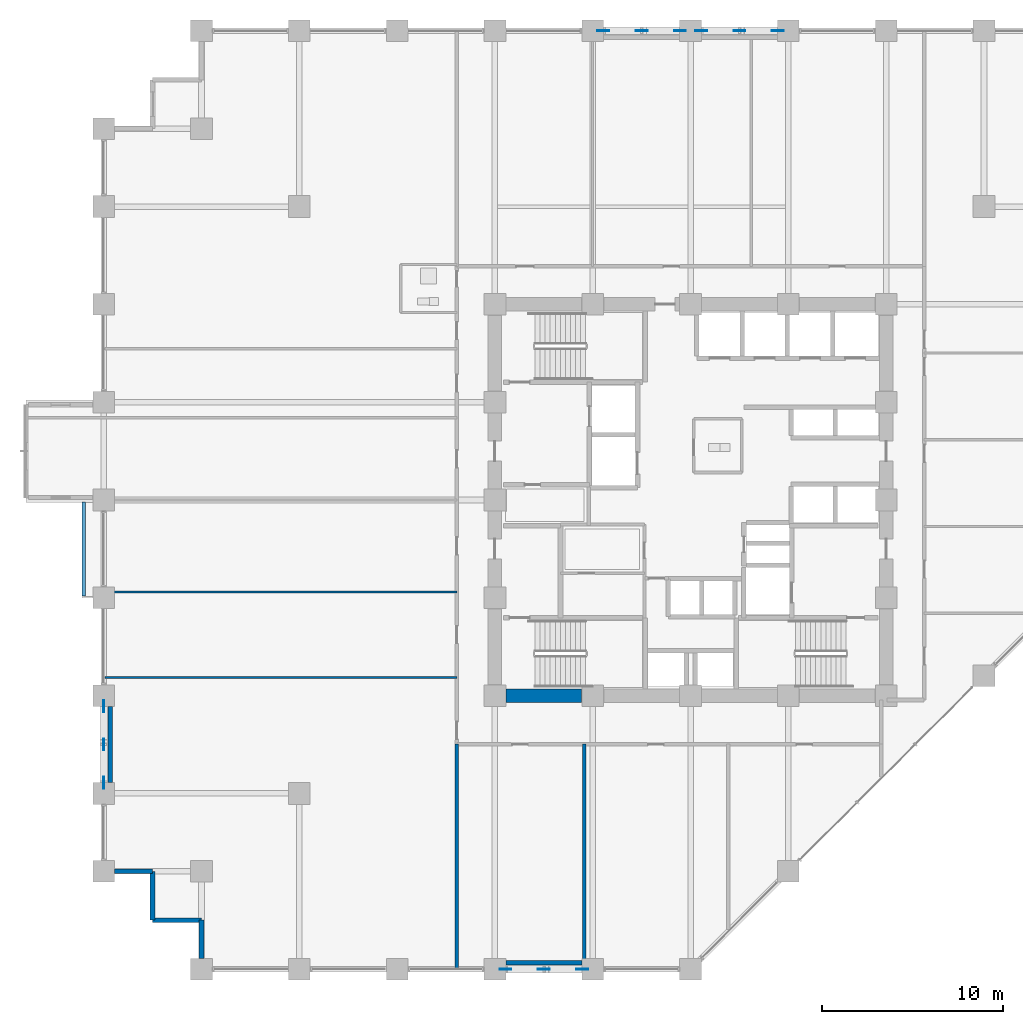
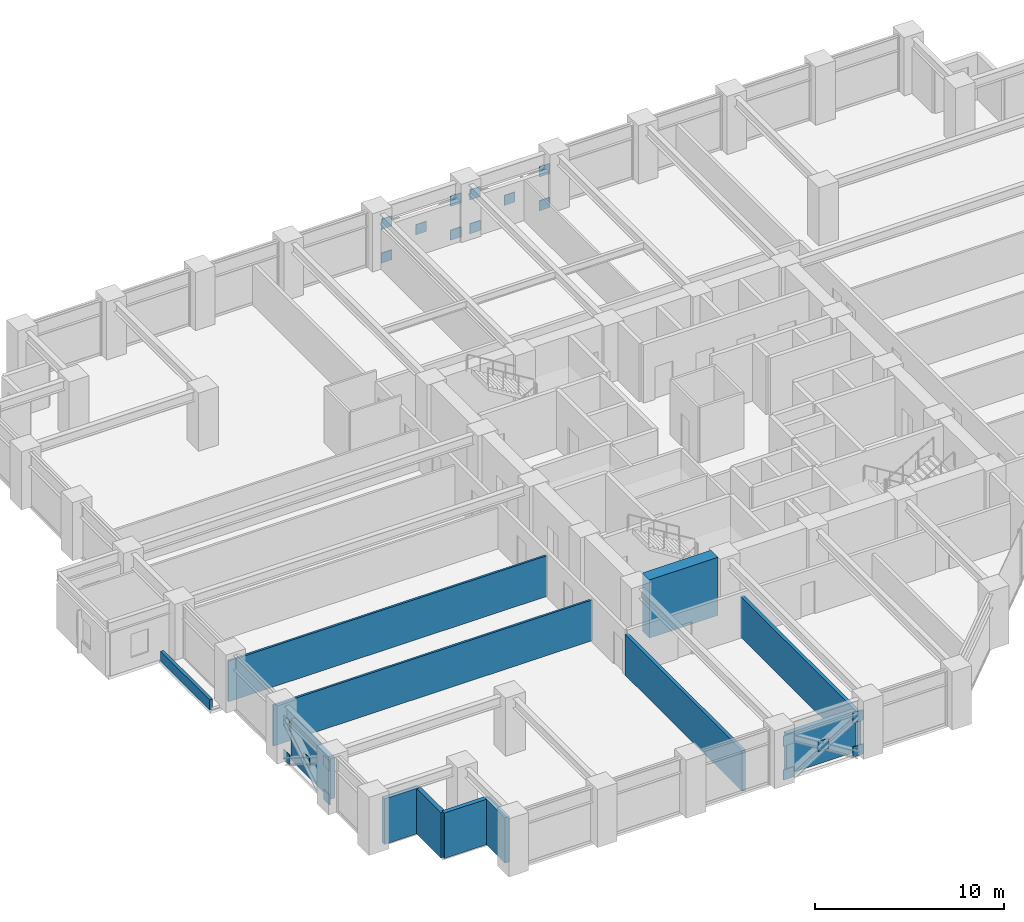
# One storey, part 20 of 28: 20 plates, 12 walls.
"""IFC4 building model written with IfcOpenShell, lengths in metres."""

from ifc_helpers import new_model, si_unit, direction, frame, frame_2d, origin, origin_2d, place, context, subcontext, project, spatial, rectangle, extrude, material, layer, layer_set, type_object, element, save


model = new_model("IFC4")

# Units and contexts
model_context = context("Model", 3, precision=1e-05, world=origin(), true_north=direction((0.0, 1.0)))
body_context = subcontext(model_context, "Body", "Model", "MODEL_VIEW")
ifc_project = project(units=[si_unit("LENGTHUNIT", "METRE"), si_unit("AREAUNIT", "SQUARE_METRE"), si_unit("VOLUMEUNIT", "CUBIC_METRE"), si_unit("PLANEANGLEUNIT", "RADIAN"), si_unit("MASSUNIT", "GRAM", prefix="KILO")], contexts=[model_context])

# Site, building, storey
site_placement = place(None, origin())
site = spatial("IfcSite", under=ifc_project, at=site_placement, CompositionType="ELEMENT")
building_placement = place(site_placement, origin())
building = spatial("IfcBuilding", under=site, at=building_placement, Name="Surkhivell Harbour Commons", CompositionType="ELEMENT")
storey_placement = place(building_placement, frame((0.0, 0.0, 63.75)))
storey = spatial("IfcBuildingStorey", under=building, at=storey_placement, Name="L16", CompositionType="ELEMENT", Elevation=63.75)

# Plates
ifc_material_1 = material(Name="Steel S460", Category="steel")
ifc_layer_1 = layer(ifc_material_1, 0.044921875)
ifc_layer_set_1 = layer_set([ifc_layer_1], Name="Steel S460")
plate_type = type_object("IfcPlateType", Name="PLT-GUS-650", PredefinedType="USERDEFINED", material=ifc_layer_set_1)
for number, where, z_axis, x_axis, name in (
    (1, (-4.81494140625, 25.89990234375, -0.08935546875), (0.0, 0.0, 1.0), (1.0, 0.0, 0.0), "L16 Perimeter Mega-Brace MB- Corner Gusset N-1"),
    (2, (-0.5849609375, 25.89990234375, -0.08935546875), (0.0, 0.0, 1.0), (1.0, 0.0, 0.0), "L16 Perimeter Mega-Brace MB- Corner Gusset N-2"),
    (3, (-4.81494140625, 25.89990234375, 2.094482421875), (0.0, 0.0, 1.0), (1.0, 0.0, 0.0), "L16 Perimeter Mega-Brace MB- Corner Gusset N-3"),
    (4, (-0.5849609375, 25.89990234375, 2.094482421875), (0.0, 0.0, 1.0), (1.0, 0.0, 0.0), "L16 Perimeter Mega-Brace MB- Corner Gusset N-4"),
    (5, (-2.699951171875, 25.89990234375, 1.00244140625), (0.0, 0.0, 1.0), (1.0, 0.0, 0.0), "L16 Perimeter Mega-Brace MB- Central Crossing Gusset N"),
    (6, (0.5849609375, 25.89990234375, -0.08935546875), (0.0, 0.0, 1.0), (1.0, 0.0, 0.0), "L16 Perimeter Mega-Brace MB- Corner Gusset N2-1"),
    (7, (4.81494140625, 25.89990234375, -0.08935546875), (0.0, 0.0, 1.0), (1.0, 0.0, 0.0), "L16 Perimeter Mega-Brace MB- Corner Gusset N2-2"),
    (8, (0.5849609375, 25.89990234375, 2.094482421875), (0.0, 0.0, 1.0), (1.0, 0.0, 0.0), "L16 Perimeter Mega-Brace MB- Corner Gusset N2-3"),
    (9, (4.81494140625, 25.89990234375, 2.094482421875), (0.0, 0.0, 1.0), (1.0, 0.0, 0.0), "L16 Perimeter Mega-Brace MB- Corner Gusset N2-4"),
    (10, (2.699951171875, 25.89990234375, 1.00244140625), (0.0, 0.0, 1.0), (1.0, 0.0, 0.0), "L16 Perimeter Mega-Brace MB- Central Crossing Gusset N2"),
    (11, (-10.215087890625, -25.89990234375, -0.08935546875), (0.0, 0.0, 1.0), (1.0, 0.0, 0.0), "L16 Perimeter Mega-Brace MB- Corner Gusset S-1"),
    (12, (-5.985107421875, -25.89990234375, -0.08935546875), (0.0, 0.0, 1.0), (1.0, 0.0, 0.0), "L16 Perimeter Mega-Brace MB- Corner Gusset S-2"),
    (13, (-10.215087890625, -25.89990234375, 2.094482421875), (0.0, 0.0, 1.0), (1.0, 0.0, 0.0), "L16 Perimeter Mega-Brace MB- Corner Gusset S-3"),
    (14, (-5.985107421875, -25.89990234375, 2.094482421875), (0.0, 0.0, 1.0), (1.0, 0.0, 0.0), "L16 Perimeter Mega-Brace MB- Corner Gusset S-4"),
    (15, (-8.10009765625, -25.89990234375, 1.00244140625), (0.0, 0.0, 1.0), (1.0, 0.0, 0.0), "L16 Perimeter Mega-Brace MB- Central Crossing Gusset S"),
    (16, (-32.39990234375, -15.614990234375, -0.08935546875), (0.0, 0.0, 1.0), (0.0, 1.0, 0.0), "L16 Perimeter Mega-Brace MB- Corner Gusset W-1"),
    (17, (-32.39990234375, -11.385009765625, -0.08935546875), (0.0, 0.0, 1.0), (0.0, 1.0, 0.0), "L16 Perimeter Mega-Brace MB- Corner Gusset W-2"),
    (18, (-32.39990234375, -15.614990234375, 2.094482421875), (0.0, 0.0, 1.0), (0.0, 1.0, 0.0), "L16 Perimeter Mega-Brace MB- Corner Gusset W-3"),
    (19, (-32.39990234375, -11.385009765625, 2.094482421875), (0.0, 0.0, 1.0), (0.0, 1.0, 0.0), "L16 Perimeter Mega-Brace MB- Corner Gusset W-4"),
    (20, (-32.39990234375, -13.5, 1.00244140625), (0.0, 0.0, 1.0), (0.0, 1.0, 0.0), "L16 Perimeter Mega-Brace MB- Central Crossing Gusset W"),
):
    element("IfcPlate", number, at=place(storey_placement, frame(where, z_axis=z_axis, x_axis=x_axis)), inside=storey, type_object=plate_type, Name=name, ObjectType="GUSSET_PLATE", PredefinedType="USERDEFINED", context=body_context, shape_type="SweptSolid", body=[
        extrude(rectangle(XDim=0.64990234375, YDim=0.044921875, at=origin_2d()), origin(), (0.0, 0.0, 1.0), 0.64990234375),
    ])

# Walls
ifc_material_2 = material(Name="Concrete C60/75", Category="concrete")
ifc_layer_2 = layer(ifc_material_2, 0.75)
ifc_layer_set_2 = layer_set([ifc_layer_2], Name="Concrete C60/75")
wall_type_1 = type_object("IfcWallType", Name="WAL-CORE-750", PredefinedType="SHEAR", material=ifc_layer_set_2)
wall_1_placement = place(storey_placement, frame((-10.18994140625, -10.800048828125, 0.0), z_axis=(0.0, 0.0, 1.0), x_axis=(1.0, 0.0, 0.0)))
element("IfcWall", 21, at=wall_1_placement, inside=storey, type_object=wall_type_1, Name="L16 Core Shear Wall South 1", PredefinedType="SHEAR", context=body_context, shape_type="SweptSolid", body=[
    extrude(rectangle(XDim=4.179931640625, YDim=0.75, at=frame_2d((2.08984375, 0.0))), origin(), (0.0, 0.0, 1.0), 3.75),
])
ifc_material_3 = material(Name="Pale-metal insulated precast concrete C45/55", Category="concrete")
ifc_layer_3 = layer(ifc_material_3, 0.260009765625)
ifc_layer_set_3 = layer_set([ifc_layer_3], Name="Pale-metal insulated precast concrete C45/55")
wall_type_2 = type_object("IfcWallType", Name="WAL-EXT-MTL260", PredefinedType="STANDARD", material=ifc_layer_set_3)
wall_2_placement = place(storey_placement, frame((-10.201904296875, -25.5400390625, 0.0), z_axis=(0.0, 0.0, 1.0), x_axis=(1.0, 0.0, 0.0)))
element("IfcWall", 22, at=wall_2_placement, inside=storey, type_object=wall_type_2, Name="L16 Braced-Bay Insulated Spandrel Backing S", PredefinedType="STANDARD", context=body_context, shape_type="SweptSolid", body=[
    extrude(rectangle(XDim=4.203857421875, YDim=0.260009765625, at=frame_2d((2.10205078125, 0.0))), origin(), (0.0, 0.0, 1.0), 2.623046875),
])
wall_3_placement = place(storey_placement, frame((-32.0400390625, -15.60205078125, 0.0), z_axis=(0.0, 0.0, 1.0), x_axis=(0.0, 1.0, 0.0)))
element("IfcWall", 23, at=wall_3_placement, inside=storey, type_object=wall_type_2, Name="L16 Braced-Bay Insulated Spandrel Backing W", PredefinedType="STANDARD", context=body_context, shape_type="SweptSolid", body=[
    extrude(rectangle(XDim=4.2041015625, YDim=0.260009765625, at=frame_2d((2.10205078125, 0.0))), origin(), (0.0, 0.0, 1.0), 2.623046875),
])
wall_4_placement = place(storey_placement, frame((-31.802001953125, -20.5, 0.0), z_axis=(0.0, 0.0, 1.0), x_axis=(1.0, 0.0, 0.0)))
element("IfcWall", 24, at=wall_4_placement, inside=storey, type_object=wall_type_2, Name="L16 Serrated Corner Facade Wall 13", PredefinedType="STANDARD", context=body_context, shape_type="SweptSolid", body=[
    extrude(rectangle(XDim=2.10205078125, YDim=0.260009765625, at=frame_2d((1.051025390625, 0.0))), origin(), (0.0, 0.0, 1.0), 2.929931640625),
])
for number, where, z_axis, x_axis, name in (
    (25, (-29.699951171875, -20.5, 0.0), (0.0, 0.0, 1.0), (0.0, -1.0, 0.0), "L16 Serrated Corner Facade Wall 14"),
    (26, (-29.699951171875, -23.199951171875, 0.0), (0.0, 0.0, 1.0), (1.0, 0.0, 0.0), "L16 Serrated Corner Facade Wall 15"),
):
    element("IfcWall", number, at=place(storey_placement, frame(where, z_axis=z_axis, x_axis=x_axis)), inside=storey, type_object=wall_type_2, Name=name, PredefinedType="STANDARD", context=body_context, shape_type="SweptSolid", body=[
        extrude(rectangle(XDim=2.699951171875, YDim=0.260009765625, at=frame_2d((1.35009765625, 0.0))), origin(), (0.0, 0.0, 1.0), 2.929931640625),
    ])
wall_5_placement = place(storey_placement, frame((-27.0, -23.199951171875, 0.0), z_axis=(0.0, 0.0, 1.0), x_axis=(0.0, -1.0, 0.0)))
element("IfcWall", 27, at=wall_5_placement, inside=storey, type_object=wall_type_2, Name="L16 Serrated Corner Facade Wall 16", PredefinedType="STANDARD", context=body_context, shape_type="SweptSolid", body=[
    extrude(rectangle(XDim=2.10205078125, YDim=0.260009765625, at=frame_2d((1.051025390625, 0.0))), origin(), (0.0, 0.0, 1.0), 2.929931640625),
])
ifc_material_4 = material(Name="Moisture-resistant acoustic stud partition", Category="other")
ifc_layer_4 = layer(ifc_material_4, 0.125)
ifc_layer_set_4 = layer_set([ifc_layer_4], Name="Moisture-resistant acoustic stud partition")
wall_type_3 = type_object("IfcWallType", Name="WAL-INT-125", PredefinedType="PARTITIONING", material=ifc_layer_set_4)
for number, where, z_axis, x_axis, name in (
    (28, (-32.340087890625, -5.080078125, 0.0), (0.0, 0.0, 1.0), (1.0, 0.0, 0.0), "L16 West Partition BDP1"),
    (29, (-32.340087890625, -9.800048828125, 0.0), (0.0, 0.0, 1.0), (1.0, 0.0, 0.0), "L16 West Partition PBOT"),
):
    element("IfcWall", number, at=place(storey_placement, frame(where, z_axis=z_axis, x_axis=x_axis)), inside=storey, type_object=wall_type_3, Name=name, PredefinedType="PARTITIONING", context=body_context, shape_type="SweptSolid", body=[
        extrude(rectangle(XDim=19.440185546875, YDim=0.125, at=frame_2d((9.72021484375, 0.0))), origin(), (0.0, 0.0, 1.0), 2.623046875),
    ])
ifc_material_5 = material(Name="Autoclaved aerated concrete blockwork and fire plaster", Category="masonry")
ifc_layer_5 = layer(ifc_material_5, 0.199951171875)
ifc_layer_set_5 = layer_set([ifc_layer_5], Name="Autoclaved aerated concrete blockwork and fire plaster")
wall_type_4 = type_object("IfcWallType", Name="WAL-INT-200", PredefinedType="PARTITIONING", material=ifc_layer_set_5)
for number, where, z_axis, x_axis, name in (
    (30, (-12.89990234375, -25.840087890625, 0.0), (0.0, 0.0, 1.0), (0.0, 1.0, 0.0), "L16 South-West Wing Corner Divider"),
    (31, (-5.8701171875, -25.840087890625, 0.0), (0.0, 0.0, 1.0), (0.0, 1.0, 0.0), "L16 South Partition P1"),
):
    element("IfcWall", number, at=place(storey_placement, frame(where, z_axis=z_axis, x_axis=x_axis)), inside=storey, type_object=wall_type_4, Name=name, PredefinedType="PARTITIONING", context=body_context, shape_type="SweptSolid", body=[
        extrude(rectangle(XDim=12.360107421875, YDim=0.199951171875, at=frame_2d((6.18017578125, 0.0))), origin(), (0.0, 0.0, 1.0), 2.623046875),
    ])
ifc_material_6 = material(Name="Anodised aluminium and precast concrete C40/50", Category="concrete")
ifc_layer_6 = layer(ifc_material_6, 0.18505859375)
ifc_layer_set_6 = layer_set([ifc_layer_6], Name="Anodised aluminium and precast concrete C40/50")
wall_type_5 = type_object("IfcWallType", Name="WAL-PAR-185", PredefinedType="PARAPET", material=ifc_layer_set_6)
wall_6_placement = place(storey_placement, frame((-33.5, -0.1201171875, 0.0), z_axis=(0.0, 0.0, 1.0), x_axis=(0.0, -1.0, 0.0)))
element("IfcWall", 32, at=wall_6_placement, inside=storey, type_object=wall_type_5, Name="L16 Box Roof Coping Parapet 1-1", PredefinedType="PARAPET", context=body_context, shape_type="SweptSolid", body=[
    extrude(rectangle(XDim=5.179931640625, YDim=0.18505859375, at=frame_2d((2.58984375, 0.0))), origin(), (0.0, 0.0, 1.0), 0.64990234375),
])

save(model, "model.ifc")
